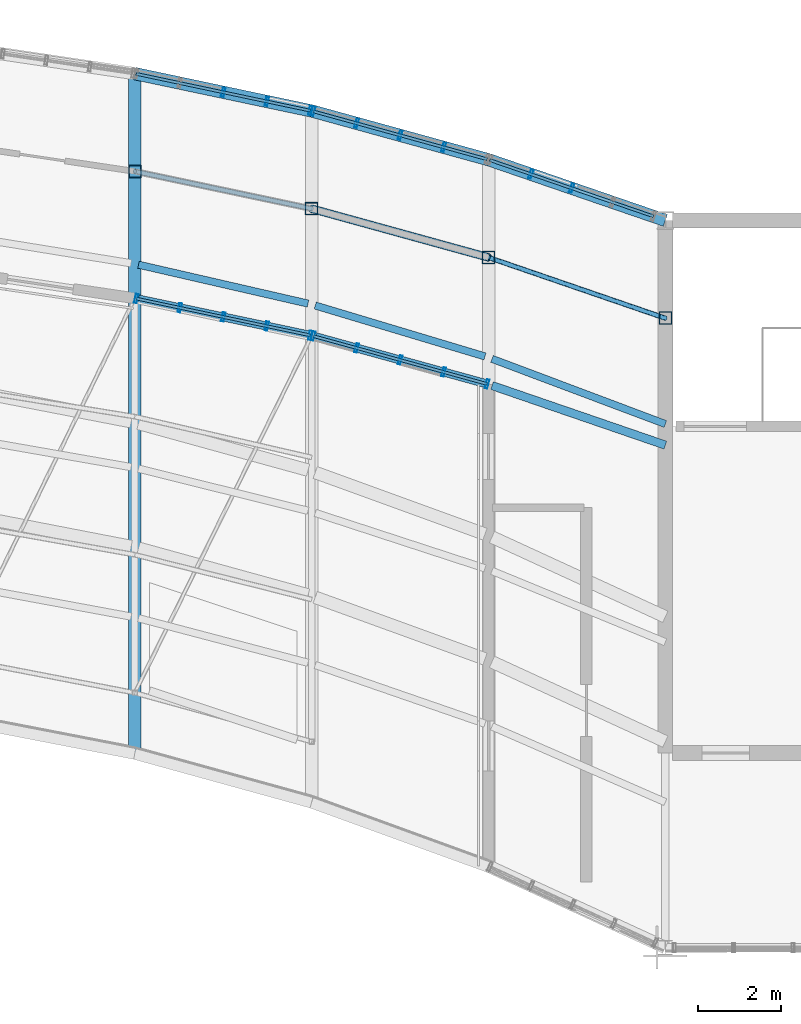
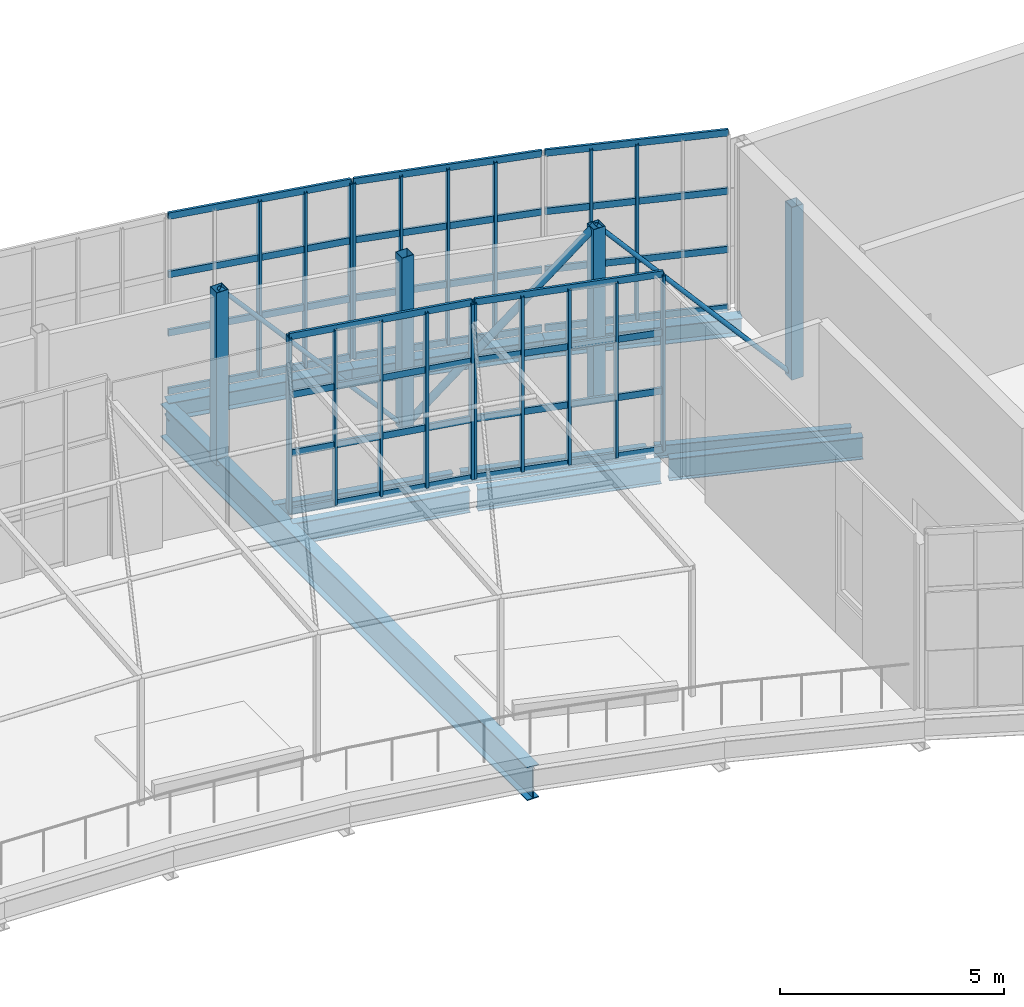
# One storey, part 23 of 35: 46 members, 10 beams, 5 elements without a shape of their own.
"""IFC4 building model written with IfcOpenShell, lengths in metres."""

from ifc_helpers import new_model, si_unit, direction, frame, origin, origin_2d, place, context, subcontext, project, spatial, hollow_rectangle, hollow_circle, i_section, extrude, material, material_profile, profile_set, type_object, element, aggregate, save


model = new_model("IFC4")

# Units and contexts
model_context = context("Model", 3, precision=1e-05, world=origin(), true_north=direction((0.0, 1.0)))
body_context = subcontext(model_context, "Body", "Model", "MODEL_VIEW")
ifc_project = project(units=[si_unit("LENGTHUNIT", "METRE"), si_unit("AREAUNIT", "SQUARE_METRE"), si_unit("VOLUMEUNIT", "CUBIC_METRE"), si_unit("PLANEANGLEUNIT", "RADIAN"), si_unit("MASSUNIT", "GRAM", prefix="KILO")], contexts=[model_context])

# Site, building, storey
site_placement = place(None, origin())
site = spatial("IfcSite", under=ifc_project, at=site_placement, CompositionType="ELEMENT")
building_placement = place(site_placement, origin())
building = spatial("IfcBuilding", under=site, at=building_placement, Name="Solvikara Media Centre", CompositionType="ELEMENT")
storey_placement = place(building_placement, frame((0.0, 0.0, 29.39990234375)))
storey = spatial("IfcBuildingStorey", under=building, at=storey_placement, Name="L06", CompositionType="ELEMENT", Elevation=29.39990234375)

# Beams
ifc_material_1 = material(Name="Steel S355JR", Category="steel")
ifc_material_profile_1 = material_profile(ifc_material_1, i_section(OverallWidth=0.300048828125, OverallDepth=0.89990234375, WebThickness=0.01611328125, FlangeThickness=0.028076171875, at=origin_2d()), Name="WF 900x300x16x28")
ifc_profile_set_1 = profile_set([ifc_material_profile_1], Name="Steel S355JR")
beam_type_1 = type_object("IfcBeamType", Name="BM-15", PredefinedType="BEAM", material=ifc_profile_set_1)
beam_1_placement = place(storey_placement, frame((114.75, 23.99609375, -0.721923828125), z_axis=(0.0, 1.0, 0.0), x_axis=(-1.0, 0.0, 0.0)))
element("IfcBeam", 1, at=beam_1_placement, inside=storey, type_object=beam_type_1, Name="BG-L06-NS-09", PredefinedType="BEAM", context=body_context, shape_type="SweptSolid", body=[
    extrude(i_section(OverallWidth=0.300048828125, OverallDepth=0.89990234375, WebThickness=0.01611328125, FlangeThickness=0.028076171875, at=origin_2d()), origin(), (0.0, 0.0, 1.0), 16.3330078125),
])
ifc_material_profile_2 = material_profile(ifc_material_1, i_section(OverallWidth=0.199951171875, OverallDepth=0.60009765625, WebThickness=0.010986328125, FlangeThickness=0.01708984375, at=origin_2d()), Name="WF 600x200x11x17")
ifc_profile_set_2 = profile_set([ifc_material_profile_2], Name="Steel S355JR")
beam_type_2 = type_object("IfcBeamType", Name="BM-18", PredefinedType="BEAM", material=ifc_profile_set_2)
beam_2_placement = place(storey_placement, frame((114.837890625, 34.909912109375, -0.572021484375), z_axis=(0.978446395542, -0.206500971063, 0.0), x_axis=(0.206500971063, 0.978446395542, 0.0)))
element("IfcBeam", 2, at=beam_2_placement, inside=storey, type_object=beam_type_2, Name="BG-L06-GAL-10", PredefinedType="BEAM", context=body_context, shape_type="SweptSolid", body=[
    extrude(i_section(OverallWidth=0.199951171875, OverallDepth=0.60009765625, WebThickness=0.010986328125, FlangeThickness=0.01708984375, at=origin_2d()), origin(), (0.0, 0.0, 1.0), 4.1640625),
])
beam_3_placement = place(storey_placement, frame((119.0869140625, 34.007080078125, -0.572021484375), z_axis=(0.964078321332, -0.265618128781, 0.0), x_axis=(0.265618128781, 0.964078321332, 0.0)))
element("IfcBeam", 3, at=beam_3_placement, inside=storey, type_object=beam_type_2, Name="BG-L06-GAL-11", PredefinedType="BEAM", context=body_context, shape_type="SweptSolid", body=[
    extrude(i_section(OverallWidth=0.199951171875, OverallDepth=0.60009765625, WebThickness=0.010986328125, FlangeThickness=0.01708984375, at=origin_2d()), origin(), (0.0, 0.0, 1.0), 4.22802734375),
])
beam_4_placement = place(storey_placement, frame((123.3349609375, 32.8310546875, -0.52197265625), z_axis=(0.945727067042, -0.32496202034, 0.0), x_axis=(0.32496202034, 0.945727067042, 0.0)))
element("IfcBeam", 4, at=beam_4_placement, inside=storey, type_object=beam_type_2, Name="BG-L06-GAL-END", PredefinedType="BEAM", context=body_context, shape_type="SweptSolid", body=[
    extrude(i_section(OverallWidth=0.199951171875, OverallDepth=0.60009765625, WebThickness=0.010986328125, FlangeThickness=0.01708984375, at=origin_2d()), origin(), (0.0, 0.0, 1.0), 4.404052734375),
])
ifc_material_profile_3 = material_profile(ifc_material_1, i_section(OverallWidth=0.175048828125, OverallDepth=0.35009765625, WebThickness=0.007080078125, FlangeThickness=0.010986328125, at=origin_2d()), Name="WF 350x175x7x11")
ifc_profile_set_3 = profile_set([ifc_material_profile_3], Name="Steel S355JR")
beam_type_3 = type_object("IfcBeamType", Name="BM-22", PredefinedType="JOIST", material=ifc_profile_set_3)
beam_5_placement = place(storey_placement, frame((114.837890625, 35.736083984375, -0.44482421875), z_axis=(0.974660207056, -0.223690591624, 0.0), x_axis=(0.223690591624, 0.974660207056, 0.0)))
element("IfcBeam", 5, at=beam_5_placement, inside=storey, type_object=beam_type_3, Name="BJ-L06-09-72", PredefinedType="JOIST", context=body_context, shape_type="SweptSolid", body=[
    extrude(i_section(OverallWidth=0.175048828125, OverallDepth=0.35009765625, WebThickness=0.007080078125, FlangeThickness=0.010986328125, at=origin_2d()), origin(), (0.0, 0.0, 1.0), 4.18017578125),
])
beam_6_placement = place(storey_placement, frame((119.0859375, 34.7548828125, -0.44482421875), z_axis=(0.95779787385, -0.287442573133, 0.0), x_axis=(0.287442573133, 0.95779787385, 0.0)))
element("IfcBeam", 6, at=beam_6_placement, inside=storey, type_object=beam_type_3, Name="BJ-L06-10-72", PredefinedType="JOIST", context=body_context, shape_type="SweptSolid", body=[
    extrude(i_section(OverallWidth=0.175048828125, OverallDepth=0.35009765625, WebThickness=0.007080078125, FlangeThickness=0.010986328125, at=origin_2d()), origin(), (0.0, 0.0, 1.0), 4.2578125),
])
beam_7_placement = place(storey_placement, frame((123.333984375, 33.472900390625, -0.44482421875), z_axis=(0.936058378207, -0.351844727955, 0.0), x_axis=(0.351844727955, 0.936058378207, 0.0)))
element("IfcBeam", 7, at=beam_7_placement, inside=storey, type_object=beam_type_3, Name="BJ-L06-11-72", PredefinedType="JOIST", context=body_context, shape_type="SweptSolid", body=[
    extrude(i_section(OverallWidth=0.175048828125, OverallDepth=0.35009765625, WebThickness=0.007080078125, FlangeThickness=0.010986328125, at=origin_2d()), origin(), (0.0, 0.0, 1.0), 4.45068359375),
])
ifc_material_profile_4 = material_profile(ifc_material_1, i_section(OverallWidth=0.300048828125, OverallDepth=0.48193359375, WebThickness=0.010986328125, FlangeThickness=0.014892578125, at=origin_2d()), Name="WF 482x300x11x15")
ifc_profile_set_4 = profile_set([ifc_material_profile_4], Name="Steel S355JR")
beam_type_4 = type_object("IfcBeamType", Name="BM-32", PredefinedType="SPANDREL", material=ifc_profile_set_4)
beam_8_placement = place(storey_placement, frame((114.75, 40.3291015625, -0.462890625), z_axis=(0.978389077526, -0.206772369957, 0.0), x_axis=(0.206772369957, 0.978389077526, 0.0)))
element("IfcBeam", 8, at=beam_8_placement, inside=storey, type_object=beam_type_4, Name="B-L06-NARC-09", PredefinedType="SPANDREL", context=body_context, shape_type="SweptSolid", body=[
    extrude(i_section(OverallWidth=0.300048828125, OverallDepth=0.48193359375, WebThickness=0.010986328125, FlangeThickness=0.014892578125, at=origin_2d()), origin(), (0.0, 0.0, 1.0), 4.343994140625),
])
beam_9_placement = place(storey_placement, frame((119.0, 39.430908203125, -0.462890625), z_axis=(0.964080686077, -0.265609545636, 0.0), x_axis=(0.265609545636, 0.964080686077, 0.0)))
element("IfcBeam", 9, at=beam_9_placement, inside=storey, type_object=beam_type_4, Name="B-L06-NARC-10", PredefinedType="SPANDREL", context=body_context, shape_type="SweptSolid", body=[
    extrude(i_section(OverallWidth=0.300048828125, OverallDepth=0.48193359375, WebThickness=0.010986328125, FlangeThickness=0.014892578125, at=origin_2d()), origin(), (0.0, 0.0, 1.0), 4.408447265625),
])
beam_10_placement = place(storey_placement, frame((123.25, 38.260009765625, -0.462890625), z_axis=(0.945753386984, -0.324885412119, 0.0), x_axis=(0.324885412119, 0.945753386984, 0.0)))
element("IfcBeam", 10, at=beam_10_placement, inside=storey, type_object=beam_type_4, Name="B-L06-NARC-11", PredefinedType="SPANDREL", context=body_context, shape_type="SweptSolid", body=[
    extrude(i_section(OverallWidth=0.300048828125, OverallDepth=0.48193359375, WebThickness=0.010986328125, FlangeThickness=0.014892578125, at=origin_2d()), origin(), (0.0, 0.0, 1.0), 4.49365234375),
])

# Members
ifc_material_profile_5 = material_profile(ifc_material_1, hollow_circle(Radius=0.096923828125, WallThickness=0.008056640625, at=origin_2d()), Name="CHS 193.7x8")
ifc_profile_set_5 = profile_set([ifc_material_profile_5], Name="Steel S355JR")
member_type_1 = type_object("IfcMemberType", Name="MB-06", PredefinedType="BRACE", material=ifc_profile_set_5)
member_1_placement = place(storey_placement, frame((119.0, 37.0810546875, -0.449951171875), z_axis=(0.659540314802, -0.181744881095, 0.729366417754), x_axis=(0.265661018897, 0.964066503431, 0.0)))
element("IfcMember", 11, at=member_1_placement, inside=storey, type_object=member_type_1, Name="SKY-TR-M-DA10", PredefinedType="BRACE", context=body_context, shape_type="SweptSolid", body=[
    extrude(hollow_circle(Radius=0.096923828125, WallThickness=0.008056640625, at=origin_2d()), origin(), (0.0, 0.0, 1.0), 6.44384765625),
])
ifc_material_profile_6 = material_profile(ifc_material_1, hollow_circle(Radius=0.05712890625, WallThickness=0.006103515625, at=origin_2d()), Name="CHS 114.3x6")
ifc_profile_set_6 = profile_set([ifc_material_profile_6], Name="Steel S355JR")
member_type_2 = type_object("IfcMemberType", Name="MB-09", PredefinedType="BRACE", material=ifc_profile_set_6)
member_2_placement = place(storey_placement, frame((114.75, 37.97900390625, 4.25), z_axis=(0.664075844739, -0.140307384935, -0.734382128164), x_axis=(0.206718568569, 0.978400446345, 0.0)))
element("IfcMember", 12, at=member_2_placement, inside=storey, type_object=member_type_2, Name="SKY-TR-M-DB09", PredefinedType="BRACE", context=body_context, shape_type="SweptSolid", body=[
    extrude(hollow_circle(Radius=0.05712890625, WallThickness=0.006103515625, at=origin_2d()), origin(), (0.0, 0.0, 1.0), 6.39990234375),
])
member_3_placement = place(storey_placement, frame((123.25, 35.909912109375, 4.25), z_axis=(0.653586882439, -0.224520310029, -0.722782690363), x_axis=(0.324885412119, 0.945753386984, 0.0)))
element("IfcMember", 13, at=member_3_placement, inside=storey, type_object=member_type_2, Name="SKY-TR-M-DB11", PredefinedType="BRACE", context=body_context, shape_type="SweptSolid", body=[
    extrude(hollow_circle(Radius=0.05712890625, WallThickness=0.006103515625, at=origin_2d()), origin(), (0.0, 0.0, 1.0), 6.502685546875),
])
ifc_material_profile_7 = material_profile(ifc_material_1, hollow_rectangle(XDim=0.300048828125, YDim=0.300048828125, WallThickness=0.012451171875, at=origin_2d()), Name="RHS 300x300x12.5")
ifc_profile_set_7 = profile_set([ifc_material_profile_7], Name="Steel S355JR")
member_type_3 = type_object("IfcMemberType", Name="MB-11", PredefinedType="CHORD", material=ifc_profile_set_7)
for number, where, z_axis, x_axis, name in (
    (14, (114.75, 37.97900390625, -0.449951171875), (0.0, 0.0, 1.0), (1.0, 0.0, 0.0), "SKY-TR-M-V09"),
    (15, (119.0, 37.0810546875, -0.449951171875), (0.0, 0.0, 1.0), (1.0, 0.0, 0.0), "SKY-TR-M-V10"),
    (16, (123.25, 35.909912109375, -0.449951171875), (0.0, 0.0, 1.0), (1.0, 0.0, 0.0), "SKY-TR-M-V11"),
    (17, (127.5, 34.449951171875, -0.449951171875), (0.0, 0.0, 1.0), (1.0, 0.0, 0.0), "SKY-TR-M-V12"),
):
    element("IfcMember", number, at=place(storey_placement, frame(where, z_axis=z_axis, x_axis=x_axis)), inside=storey, type_object=member_type_3, Name=name, PredefinedType="CHORD", context=body_context, shape_type="SweptSolid", body=[
        extrude(hollow_rectangle(XDim=0.300048828125, YDim=0.300048828125, WallThickness=0.012451171875, at=origin_2d()), origin(), (0.0, 0.0, 1.0), 4.699951171875),
    ])

# Curtain wall, members
ifc_material_2 = material(Name="Anodised aluminium EN AW-6063", Category="aluminium")
curtain_wall_type = type_object("IfcCurtainWallType", Name="CW-13", PredefinedType="NOTDEFINED", material=ifc_material_2)
curtain_wall_1_placement = place(storey_placement, origin())
curtain_wall_1 = element("IfcCurtainWall", 18, at=curtain_wall_1_placement, inside=storey, type_object=curtain_wall_type, Name="CW-L06-NARC-09", PredefinedType="NOTDEFINED")
ifc_material_profile_8 = material_profile(ifc_material_2, hollow_rectangle(XDim=0.06494140625, YDim=0.219970703125, WallThickness=0.00390625, at=origin_2d()), Name="ALU-M 65x220x4")
ifc_profile_set_8 = profile_set([ifc_material_profile_8], Name="Anodised aluminium EN AW-6063")
member_type_4 = type_object("IfcMemberType", Name="MF-01", PredefinedType="MULLION", material=ifc_profile_set_8)
member_4_placement = place(storey_placement, frame((116.875, 39.8798828125, 0.02001953125), z_axis=(0.0, 0.0, 1.0), x_axis=(0.97837923005, -0.206818959981, 0.0)))
member_4 = element("IfcMember", 19, at=member_4_placement, type_object=member_type_4, Name="CW-L06-NARC-09-M02", PredefinedType="MULLION", context=body_context, shape_type="SweptSolid", body=[
    extrude(hollow_rectangle(XDim=0.06494140625, YDim=0.219970703125, WallThickness=0.00390625, at=origin_2d()), origin(), (0.0, 0.0, 1.0), 4.760009765625),
])
member_5_placement = place(storey_placement, frame((117.9208984375, 39.658935546875, 0.02001953125), z_axis=(0.0, 0.0, 1.0), x_axis=(0.97837923005, -0.206818959981, 0.0)))
member_5 = element("IfcMember", 20, at=member_5_placement, type_object=member_type_4, Name="CW-L06-NARC-09-M03", PredefinedType="MULLION", context=body_context, shape_type="SweptSolid", body=[
    extrude(hollow_rectangle(XDim=0.06494140625, YDim=0.219970703125, WallThickness=0.00390625, at=origin_2d()), origin(), (0.0, 0.0, 1.0), 4.760009765625),
])
member_6_placement = place(storey_placement, frame((118.966064453125, 39.43798828125, 0.02001953125), z_axis=(0.0, 0.0, 1.0), x_axis=(0.97837923005, -0.206818959981, 0.0)))
member_6 = element("IfcMember", 21, at=member_6_placement, type_object=member_type_4, Name="CW-L06-NARC-09-M04", PredefinedType="MULLION", context=body_context, shape_type="SweptSolid", body=[
    extrude(hollow_rectangle(XDim=0.06494140625, YDim=0.219970703125, WallThickness=0.00390625, at=origin_2d()), origin(), (0.0, 0.0, 1.0), 4.760009765625),
])

curtain_wall_2_placement = place(storey_placement, origin())
curtain_wall_2 = element("IfcCurtainWall", 22, at=curtain_wall_2_placement, inside=storey, type_object=curtain_wall_type, Name="CW-L06-NARC-10", PredefinedType="NOTDEFINED")
member_7_placement = place(storey_placement, frame((119.033935546875, 39.422119140625, 0.02001953125), z_axis=(0.0, 0.0, 1.0), x_axis=(0.964030487854, -0.265791682504, 0.0)))
member_7 = element("IfcMember", 23, at=member_7_placement, type_object=member_type_4, Name="CW-L06-NARC-10-M00", PredefinedType="MULLION", context=body_context, shape_type="SweptSolid", body=[
    extrude(hollow_rectangle(XDim=0.06494140625, YDim=0.219970703125, WallThickness=0.00390625, at=origin_2d()), origin(), (0.0, 0.0, 1.0), 4.760009765625),
])
member_8_placement = place(storey_placement, frame((120.080078125, 39.134033203125, 0.02001953125), z_axis=(0.0, 0.0, 1.0), x_axis=(0.964030487854, -0.265791682504, 0.0)))
member_8 = element("IfcMember", 24, at=member_8_placement, type_object=member_type_4, Name="CW-L06-NARC-10-M01", PredefinedType="MULLION", context=body_context, shape_type="SweptSolid", body=[
    extrude(hollow_rectangle(XDim=0.06494140625, YDim=0.219970703125, WallThickness=0.00390625, at=origin_2d()), origin(), (0.0, 0.0, 1.0), 4.760009765625),
])
member_9_placement = place(storey_placement, frame((121.125, 38.845947265625, 0.02001953125), z_axis=(0.0, 0.0, 1.0), x_axis=(0.964030487854, -0.265791682504, 0.0)))
member_9 = element("IfcMember", 25, at=member_9_placement, type_object=member_type_4, Name="CW-L06-NARC-10-M02", PredefinedType="MULLION", context=body_context, shape_type="SweptSolid", body=[
    extrude(hollow_rectangle(XDim=0.06494140625, YDim=0.219970703125, WallThickness=0.00390625, at=origin_2d()), origin(), (0.0, 0.0, 1.0), 4.760009765625),
])
member_10_placement = place(storey_placement, frame((122.1708984375, 38.556884765625, 0.02001953125), z_axis=(0.0, 0.0, 1.0), x_axis=(0.964030487854, -0.265791682504, 0.0)))
member_10 = element("IfcMember", 26, at=member_10_placement, type_object=member_type_4, Name="CW-L06-NARC-10-M03", PredefinedType="MULLION", context=body_context, shape_type="SweptSolid", body=[
    extrude(hollow_rectangle(XDim=0.06494140625, YDim=0.219970703125, WallThickness=0.00390625, at=origin_2d()), origin(), (0.0, 0.0, 1.0), 4.760009765625),
])

curtain_wall_3_placement = place(storey_placement, origin())
curtain_wall_3 = element("IfcCurtainWall", 27, at=curtain_wall_3_placement, inside=storey, type_object=curtain_wall_type, Name="CW-L06-NARC-11", PredefinedType="NOTDEFINED")
member_11_placement = place(storey_placement, frame((124.26611328125, 37.910888671875, 0.02001953125), z_axis=(0.0, 0.0, 1.0), x_axis=(0.945705932557, -0.325023520882, 0.0)))
member_11 = element("IfcMember", 28, at=member_11_placement, type_object=member_type_4, Name="CW-L06-NARC-11-M01", PredefinedType="MULLION", context=body_context, shape_type="SweptSolid", body=[
    extrude(hollow_rectangle(XDim=0.06494140625, YDim=0.219970703125, WallThickness=0.00390625, at=origin_2d()), origin(), (0.0, 0.0, 1.0), 4.760009765625),
])
member_12_placement = place(storey_placement, frame((125.248046875, 37.573974609375, 0.02001953125), z_axis=(0.0, 0.0, 1.0), x_axis=(0.945705932557, -0.325023520882, 0.0)))
member_12 = element("IfcMember", 29, at=member_12_placement, type_object=member_type_4, Name="CW-L06-NARC-11-M02", PredefinedType="MULLION", context=body_context, shape_type="SweptSolid", body=[
    extrude(hollow_rectangle(XDim=0.06494140625, YDim=0.219970703125, WallThickness=0.00390625, at=origin_2d()), origin(), (0.0, 0.0, 1.0), 4.760009765625),
])

curtain_wall_4_placement = place(storey_placement, origin())
curtain_wall_4 = element("IfcCurtainWall", 30, at=curtain_wall_4_placement, inside=storey, type_object=curtain_wall_type, Name="CW-L06-GALS-09", PredefinedType="NOTDEFINED")
member_13_placement = place(storey_placement, frame((114.783935546875, 34.922119140625, 0.02001953125), z_axis=(0.0, 0.0, 1.0), x_axis=(0.97837923005, -0.206818959981, 0.0)))
member_13 = element("IfcMember", 31, at=member_13_placement, type_object=member_type_4, Name="CW-L06-GALS-09-M00", PredefinedType="MULLION", context=body_context, shape_type="SweptSolid", body=[
    extrude(hollow_rectangle(XDim=0.06494140625, YDim=0.219970703125, WallThickness=0.00390625, at=origin_2d()), origin(), (0.0, 0.0, 1.0), 4.760009765625),
])
member_14_placement = place(storey_placement, frame((115.830078125, 34.700927734375, 0.02001953125), z_axis=(0.0, 0.0, 1.0), x_axis=(0.97837923005, -0.206818959981, 0.0)))
member_14 = element("IfcMember", 32, at=member_14_placement, type_object=member_type_4, Name="CW-L06-GALS-09-M01", PredefinedType="MULLION", context=body_context, shape_type="SweptSolid", body=[
    extrude(hollow_rectangle(XDim=0.06494140625, YDim=0.219970703125, WallThickness=0.00390625, at=origin_2d()), origin(), (0.0, 0.0, 1.0), 4.760009765625),
])
member_15_placement = place(storey_placement, frame((116.875, 34.47998046875, 0.02001953125), z_axis=(0.0, 0.0, 1.0), x_axis=(0.97837923005, -0.206818959981, 0.0)))
member_15 = element("IfcMember", 33, at=member_15_placement, type_object=member_type_4, Name="CW-L06-GALS-09-M02", PredefinedType="MULLION", context=body_context, shape_type="SweptSolid", body=[
    extrude(hollow_rectangle(XDim=0.06494140625, YDim=0.219970703125, WallThickness=0.00390625, at=origin_2d()), origin(), (0.0, 0.0, 1.0), 4.760009765625),
])
member_16_placement = place(storey_placement, frame((117.9208984375, 34.259033203125, 0.02001953125), z_axis=(0.0, 0.0, 1.0), x_axis=(0.97837923005, -0.206818959981, 0.0)))
member_16 = element("IfcMember", 34, at=member_16_placement, type_object=member_type_4, Name="CW-L06-GALS-09-M03", PredefinedType="MULLION", context=body_context, shape_type="SweptSolid", body=[
    extrude(hollow_rectangle(XDim=0.06494140625, YDim=0.219970703125, WallThickness=0.00390625, at=origin_2d()), origin(), (0.0, 0.0, 1.0), 4.760009765625),
])
member_17_placement = place(storey_placement, frame((118.966064453125, 34.0380859375, 0.02001953125), z_axis=(0.0, 0.0, 1.0), x_axis=(0.97837923005, -0.206818959981, 0.0)))
member_17 = element("IfcMember", 35, at=member_17_placement, type_object=member_type_4, Name="CW-L06-GALS-09-M04", PredefinedType="MULLION", context=body_context, shape_type="SweptSolid", body=[
    extrude(hollow_rectangle(XDim=0.06494140625, YDim=0.219970703125, WallThickness=0.00390625, at=origin_2d()), origin(), (0.0, 0.0, 1.0), 4.760009765625),
])

curtain_wall_5_placement = place(storey_placement, origin())
curtain_wall_5 = element("IfcCurtainWall", 36, at=curtain_wall_5_placement, inside=storey, type_object=curtain_wall_type, Name="CW-L06-GALS-10", PredefinedType="NOTDEFINED")
member_18_placement = place(storey_placement, frame((119.033935546875, 34.02197265625, 0.02001953125), z_axis=(0.0, 0.0, 1.0), x_axis=(0.964030487854, -0.265791682504, 0.0)))
member_18 = element("IfcMember", 37, at=member_18_placement, type_object=member_type_4, Name="CW-L06-GALS-10-M00", PredefinedType="MULLION", context=body_context, shape_type="SweptSolid", body=[
    extrude(hollow_rectangle(XDim=0.06494140625, YDim=0.219970703125, WallThickness=0.00390625, at=origin_2d()), origin(), (0.0, 0.0, 1.0), 4.760009765625),
])
member_19_placement = place(storey_placement, frame((120.080078125, 33.73388671875, 0.02001953125), z_axis=(0.0, 0.0, 1.0), x_axis=(0.964030487854, -0.265791682504, 0.0)))
member_19 = element("IfcMember", 38, at=member_19_placement, type_object=member_type_4, Name="CW-L06-GALS-10-M01", PredefinedType="MULLION", context=body_context, shape_type="SweptSolid", body=[
    extrude(hollow_rectangle(XDim=0.06494140625, YDim=0.219970703125, WallThickness=0.00390625, at=origin_2d()), origin(), (0.0, 0.0, 1.0), 4.760009765625),
])
member_20_placement = place(storey_placement, frame((121.125, 33.446044921875, 0.02001953125), z_axis=(0.0, 0.0, 1.0), x_axis=(0.964030487854, -0.265791682504, 0.0)))
member_20 = element("IfcMember", 39, at=member_20_placement, type_object=member_type_4, Name="CW-L06-GALS-10-M02", PredefinedType="MULLION", context=body_context, shape_type="SweptSolid", body=[
    extrude(hollow_rectangle(XDim=0.06494140625, YDim=0.219970703125, WallThickness=0.00390625, at=origin_2d()), origin(), (0.0, 0.0, 1.0), 4.760009765625),
])
member_21_placement = place(storey_placement, frame((122.1708984375, 33.156982421875, 0.02001953125), z_axis=(0.0, 0.0, 1.0), x_axis=(0.964030487854, -0.265791682504, 0.0)))
member_21 = element("IfcMember", 40, at=member_21_placement, type_object=member_type_4, Name="CW-L06-GALS-10-M03", PredefinedType="MULLION", context=body_context, shape_type="SweptSolid", body=[
    extrude(hollow_rectangle(XDim=0.06494140625, YDim=0.219970703125, WallThickness=0.00390625, at=origin_2d()), origin(), (0.0, 0.0, 1.0), 4.760009765625),
])
member_22_placement = place(storey_placement, frame((123.216064453125, 32.868896484375, 0.02001953125), z_axis=(0.0, 0.0, 1.0), x_axis=(0.964030487854, -0.265791682504, 0.0)))
member_22 = element("IfcMember", 41, at=member_22_placement, type_object=member_type_4, Name="CW-L06-GALS-10-M04", PredefinedType="MULLION", context=body_context, shape_type="SweptSolid", body=[
    extrude(hollow_rectangle(XDim=0.06494140625, YDim=0.219970703125, WallThickness=0.00390625, at=origin_2d()), origin(), (0.0, 0.0, 1.0), 4.760009765625),
])

# Member
ifc_material_profile_9 = material_profile(ifc_material_2, hollow_rectangle(XDim=0.06494140625, YDim=0.179931640625, WallThickness=0.00341796875, at=origin_2d()), Name="ALU-T 65x180x3.5")
ifc_profile_set_9 = profile_set([ifc_material_profile_9], Name="Anodised aluminium EN AW-6063")
member_type_5 = type_object("IfcMemberType", Name="MF-07", PredefinedType="USERDEFINED", material=ifc_profile_set_9)
member_23_placement = place(storey_placement, frame((114.783935546875, 40.322021484375, 0.02001953125), z_axis=(0.978380382842, -0.206813506496, 0.0), x_axis=(0.206813506496, 0.978380382842, 0.0)))
member_23 = element("IfcMember", 42, at=member_23_placement, type_object=member_type_5, Name="CW-L06-NARC-09-T00", ObjectType="TRANSOM", PredefinedType="USERDEFINED", context=body_context, shape_type="SweptSolid", body=[
    extrude(hollow_rectangle(XDim=0.06494140625, YDim=0.179931640625, WallThickness=0.00341796875, at=origin_2d()), origin(), (0.0, 0.0, 1.0), 4.274658203125),
])

member_24_placement = place(storey_placement, frame((114.783935546875, 40.322021484375, 1.607177734375), z_axis=(0.978380382842, -0.206813506496, 0.0), x_axis=(0.206813506496, 0.978380382842, 0.0)))
member_24 = element("IfcMember", 43, at=member_24_placement, type_object=member_type_5, Name="CW-L06-NARC-09-T01", ObjectType="TRANSOM", PredefinedType="USERDEFINED", context=body_context, shape_type="SweptSolid", body=[
    extrude(hollow_rectangle(XDim=0.06494140625, YDim=0.179931640625, WallThickness=0.00341796875, at=origin_2d()), origin(), (0.0, 0.0, 1.0), 4.274658203125),
])

member_25_placement = place(storey_placement, frame((114.783935546875, 40.322021484375, 3.193115234375), z_axis=(0.978380382842, -0.206813506496, 0.0), x_axis=(0.206813506496, 0.978380382842, 0.0)))
member_25 = element("IfcMember", 44, at=member_25_placement, type_object=member_type_5, Name="CW-L06-NARC-09-T02", ObjectType="TRANSOM", PredefinedType="USERDEFINED", context=body_context, shape_type="SweptSolid", body=[
    extrude(hollow_rectangle(XDim=0.06494140625, YDim=0.179931640625, WallThickness=0.00341796875, at=origin_2d()), origin(), (0.0, 0.0, 1.0), 4.274658203125),
])

member_26_placement = place(storey_placement, frame((114.783935546875, 40.322021484375, 4.780029296875), z_axis=(0.978380382842, -0.206813506496, 0.0), x_axis=(0.206813506496, 0.978380382842, 0.0)))
member_26 = element("IfcMember", 45, at=member_26_placement, type_object=member_type_5, Name="CW-L06-NARC-09-T03", ObjectType="TRANSOM", PredefinedType="USERDEFINED", context=body_context, shape_type="SweptSolid", body=[
    extrude(hollow_rectangle(XDim=0.06494140625, YDim=0.179931640625, WallThickness=0.00341796875, at=origin_2d()), origin(), (0.0, 0.0, 1.0), 4.274658203125),
])

aggregate(curtain_wall_1, [member_4, member_5, member_6, member_23, member_24, member_25, member_26])

member_27_placement = place(storey_placement, frame((119.033935546875, 39.422119140625, 0.02001953125), z_axis=(0.96402892513, -0.265797350461, 0.0), x_axis=(0.265797350461, 0.96402892513, 0.0)))
member_27 = element("IfcMember", 46, at=member_27_placement, type_object=member_type_5, Name="CW-L06-NARC-10-T00", ObjectType="TRANSOM", PredefinedType="USERDEFINED", context=body_context, shape_type="SweptSolid", body=[
    extrude(hollow_rectangle(XDim=0.06494140625, YDim=0.179931640625, WallThickness=0.00341796875, at=origin_2d()), origin(), (0.0, 0.0, 1.0), 4.338134765625),
])

member_28_placement = place(storey_placement, frame((119.033935546875, 39.422119140625, 1.607177734375), z_axis=(0.96402892513, -0.265797350461, 0.0), x_axis=(0.265797350461, 0.96402892513, 0.0)))
member_28 = element("IfcMember", 47, at=member_28_placement, type_object=member_type_5, Name="CW-L06-NARC-10-T01", ObjectType="TRANSOM", PredefinedType="USERDEFINED", context=body_context, shape_type="SweptSolid", body=[
    extrude(hollow_rectangle(XDim=0.06494140625, YDim=0.179931640625, WallThickness=0.00341796875, at=origin_2d()), origin(), (0.0, 0.0, 1.0), 4.338134765625),
])

member_29_placement = place(storey_placement, frame((119.033935546875, 39.422119140625, 3.193115234375), z_axis=(0.96402892513, -0.265797350461, 0.0), x_axis=(0.265797350461, 0.96402892513, 0.0)))
member_29 = element("IfcMember", 48, at=member_29_placement, type_object=member_type_5, Name="CW-L06-NARC-10-T02", ObjectType="TRANSOM", PredefinedType="USERDEFINED", context=body_context, shape_type="SweptSolid", body=[
    extrude(hollow_rectangle(XDim=0.06494140625, YDim=0.179931640625, WallThickness=0.00341796875, at=origin_2d()), origin(), (0.0, 0.0, 1.0), 4.338134765625),
])

member_30_placement = place(storey_placement, frame((119.033935546875, 39.422119140625, 4.780029296875), z_axis=(0.96402892513, -0.265797350461, 0.0), x_axis=(0.265797350461, 0.96402892513, 0.0)))
member_30 = element("IfcMember", 49, at=member_30_placement, type_object=member_type_5, Name="CW-L06-NARC-10-T03", ObjectType="TRANSOM", PredefinedType="USERDEFINED", context=body_context, shape_type="SweptSolid", body=[
    extrude(hollow_rectangle(XDim=0.06494140625, YDim=0.179931640625, WallThickness=0.00341796875, at=origin_2d()), origin(), (0.0, 0.0, 1.0), 4.338134765625),
])

aggregate(curtain_wall_2, [member_7, member_8, member_9, member_10, member_27, member_28, member_29, member_30])

member_31_placement = place(storey_placement, frame((123.282958984375, 38.2490234375, 0.02001953125), z_axis=(0.945705781798, -0.325023959537, 0.0), x_axis=(0.325023959537, 0.945705781798, 0.0)))
member_31 = element("IfcMember", 50, at=member_31_placement, type_object=member_type_5, Name="CW-L06-NARC-11-T00", ObjectType="TRANSOM", PredefinedType="USERDEFINED", context=body_context, shape_type="SweptSolid", body=[
    extrude(hollow_rectangle(XDim=0.06494140625, YDim=0.179931640625, WallThickness=0.00341796875, at=origin_2d()), origin(), (0.0, 0.0, 1.0), 4.15673828125),
])

member_32_placement = place(storey_placement, frame((123.282958984375, 38.2490234375, 1.607177734375), z_axis=(0.945705781798, -0.325023959537, 0.0), x_axis=(0.325023959537, 0.945705781798, 0.0)))
member_32 = element("IfcMember", 51, at=member_32_placement, type_object=member_type_5, Name="CW-L06-NARC-11-T01", ObjectType="TRANSOM", PredefinedType="USERDEFINED", context=body_context, shape_type="SweptSolid", body=[
    extrude(hollow_rectangle(XDim=0.06494140625, YDim=0.179931640625, WallThickness=0.00341796875, at=origin_2d()), origin(), (0.0, 0.0, 1.0), 4.15673828125),
])

member_33_placement = place(storey_placement, frame((123.282958984375, 38.2490234375, 3.193115234375), z_axis=(0.945705781798, -0.325023959537, 0.0), x_axis=(0.325023959537, 0.945705781798, 0.0)))
member_33 = element("IfcMember", 52, at=member_33_placement, type_object=member_type_5, Name="CW-L06-NARC-11-T02", ObjectType="TRANSOM", PredefinedType="USERDEFINED", context=body_context, shape_type="SweptSolid", body=[
    extrude(hollow_rectangle(XDim=0.06494140625, YDim=0.179931640625, WallThickness=0.00341796875, at=origin_2d()), origin(), (0.0, 0.0, 1.0), 4.15673828125),
])

member_34_placement = place(storey_placement, frame((123.282958984375, 38.2490234375, 4.780029296875), z_axis=(0.945705781798, -0.325023959537, 0.0), x_axis=(0.325023959537, 0.945705781798, 0.0)))
member_34 = element("IfcMember", 53, at=member_34_placement, type_object=member_type_5, Name="CW-L06-NARC-11-T03", ObjectType="TRANSOM", PredefinedType="USERDEFINED", context=body_context, shape_type="SweptSolid", body=[
    extrude(hollow_rectangle(XDim=0.06494140625, YDim=0.179931640625, WallThickness=0.00341796875, at=origin_2d()), origin(), (0.0, 0.0, 1.0), 4.15673828125),
])

aggregate(curtain_wall_3, [member_11, member_12, member_31, member_32, member_33, member_34])

member_35_placement = place(storey_placement, frame((114.783935546875, 34.922119140625, 0.02001953125), z_axis=(0.978380382842, -0.206813506496, 0.0), x_axis=(0.206813506496, 0.978380382842, 0.0)))
member_35 = element("IfcMember", 54, at=member_35_placement, type_object=member_type_5, Name="CW-L06-GALS-09-T00", ObjectType="TRANSOM", PredefinedType="USERDEFINED", context=body_context, shape_type="SweptSolid", body=[
    extrude(hollow_rectangle(XDim=0.06494140625, YDim=0.179931640625, WallThickness=0.00341796875, at=origin_2d()), origin(), (0.0, 0.0, 1.0), 4.274658203125),
])

member_36_placement = place(storey_placement, frame((114.783935546875, 34.922119140625, 1.607177734375), z_axis=(0.978380382842, -0.206813506496, 0.0), x_axis=(0.206813506496, 0.978380382842, 0.0)))
member_36 = element("IfcMember", 55, at=member_36_placement, type_object=member_type_5, Name="CW-L06-GALS-09-T01", ObjectType="TRANSOM", PredefinedType="USERDEFINED", context=body_context, shape_type="SweptSolid", body=[
    extrude(hollow_rectangle(XDim=0.06494140625, YDim=0.179931640625, WallThickness=0.00341796875, at=origin_2d()), origin(), (0.0, 0.0, 1.0), 4.274658203125),
])

member_37_placement = place(storey_placement, frame((114.783935546875, 34.922119140625, 3.193115234375), z_axis=(0.978380382842, -0.206813506496, 0.0), x_axis=(0.206813506496, 0.978380382842, 0.0)))
member_37 = element("IfcMember", 56, at=member_37_placement, type_object=member_type_5, Name="CW-L06-GALS-09-T02", ObjectType="TRANSOM", PredefinedType="USERDEFINED", context=body_context, shape_type="SweptSolid", body=[
    extrude(hollow_rectangle(XDim=0.06494140625, YDim=0.179931640625, WallThickness=0.00341796875, at=origin_2d()), origin(), (0.0, 0.0, 1.0), 4.274658203125),
])

member_38_placement = place(storey_placement, frame((114.783935546875, 34.922119140625, 4.780029296875), z_axis=(0.978380382842, -0.206813506496, 0.0), x_axis=(0.206813506496, 0.978380382842, 0.0)))
member_38 = element("IfcMember", 57, at=member_38_placement, type_object=member_type_5, Name="CW-L06-GALS-09-T03", ObjectType="TRANSOM", PredefinedType="USERDEFINED", context=body_context, shape_type="SweptSolid", body=[
    extrude(hollow_rectangle(XDim=0.06494140625, YDim=0.179931640625, WallThickness=0.00341796875, at=origin_2d()), origin(), (0.0, 0.0, 1.0), 4.274658203125),
])

aggregate(curtain_wall_4, [member_13, member_14, member_15, member_16, member_17, member_35, member_36, member_37, member_38])

member_39_placement = place(storey_placement, frame((119.033935546875, 34.02197265625, 0.02001953125), z_axis=(0.96402892513, -0.265797350461, 0.0), x_axis=(0.265797350461, 0.96402892513, 0.0)))
member_39 = element("IfcMember", 58, at=member_39_placement, type_object=member_type_5, Name="CW-L06-GALS-10-T00", ObjectType="TRANSOM", PredefinedType="USERDEFINED", context=body_context, shape_type="SweptSolid", body=[
    extrude(hollow_rectangle(XDim=0.06494140625, YDim=0.179931640625, WallThickness=0.00341796875, at=origin_2d()), origin(), (0.0, 0.0, 1.0), 4.338134765625),
])

member_40_placement = place(storey_placement, frame((119.033935546875, 34.02197265625, 1.607177734375), z_axis=(0.96402892513, -0.265797350461, 0.0), x_axis=(0.265797350461, 0.96402892513, 0.0)))
member_40 = element("IfcMember", 59, at=member_40_placement, type_object=member_type_5, Name="CW-L06-GALS-10-T01", ObjectType="TRANSOM", PredefinedType="USERDEFINED", context=body_context, shape_type="SweptSolid", body=[
    extrude(hollow_rectangle(XDim=0.06494140625, YDim=0.179931640625, WallThickness=0.00341796875, at=origin_2d()), origin(), (0.0, 0.0, 1.0), 4.338134765625),
])

member_41_placement = place(storey_placement, frame((119.033935546875, 34.02197265625, 3.193115234375), z_axis=(0.96402892513, -0.265797350461, 0.0), x_axis=(0.265797350461, 0.96402892513, 0.0)))
member_41 = element("IfcMember", 60, at=member_41_placement, type_object=member_type_5, Name="CW-L06-GALS-10-T02", ObjectType="TRANSOM", PredefinedType="USERDEFINED", context=body_context, shape_type="SweptSolid", body=[
    extrude(hollow_rectangle(XDim=0.06494140625, YDim=0.179931640625, WallThickness=0.00341796875, at=origin_2d()), origin(), (0.0, 0.0, 1.0), 4.338134765625),
])

member_42_placement = place(storey_placement, frame((119.033935546875, 34.02197265625, 4.780029296875), z_axis=(0.96402892513, -0.265797350461, 0.0), x_axis=(0.265797350461, 0.96402892513, 0.0)))
member_42 = element("IfcMember", 61, at=member_42_placement, type_object=member_type_5, Name="CW-L06-GALS-10-T03", ObjectType="TRANSOM", PredefinedType="USERDEFINED", context=body_context, shape_type="SweptSolid", body=[
    extrude(hollow_rectangle(XDim=0.06494140625, YDim=0.179931640625, WallThickness=0.00341796875, at=origin_2d()), origin(), (0.0, 0.0, 1.0), 4.338134765625),
])

aggregate(curtain_wall_5, [member_18, member_19, member_20, member_21, member_22, member_39, member_40, member_41, member_42])

save(model, "model.ifc")
